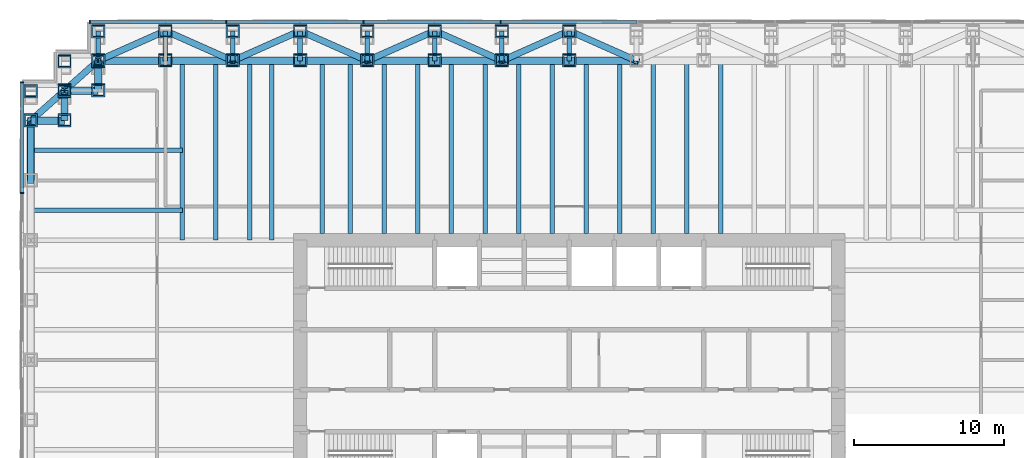
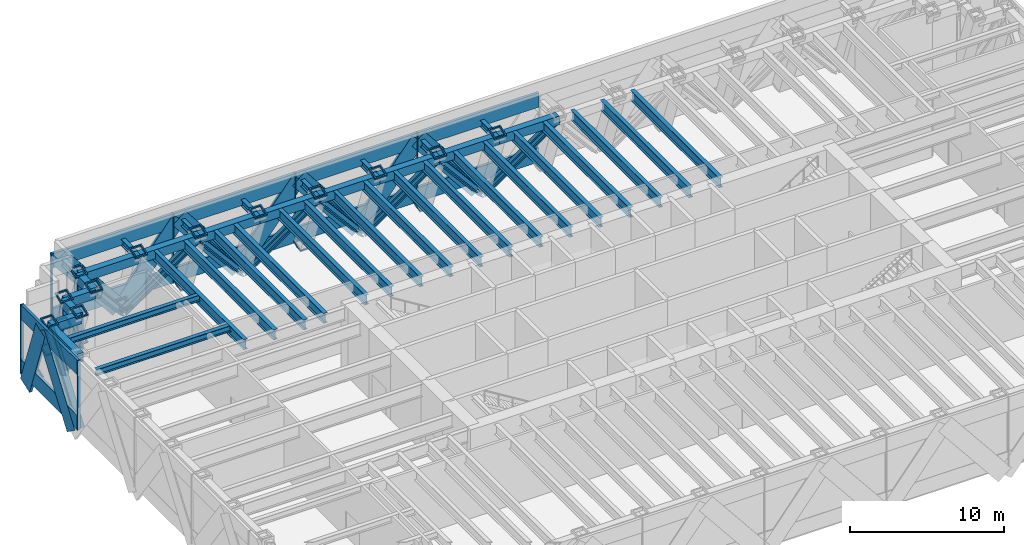
# One storey, part 6 of 16: 62 members, 40 beams, 2 elements without a shape of their own.
"""IFC4 building model written with IfcOpenShell, lengths in metres."""

from ifc_helpers import new_model, si_unit, direction, frame, origin, origin_2d, place, context, subcontext, project, spatial, rectangle, hollow_rectangle, i_section, extrude, material, material_profile, profile_set, type_object, element, aggregate, save


model = new_model("IFC4")

# Units and contexts
model_context = context("Model", 3, precision=1e-05, world=origin(), true_north=direction((0.0, 1.0)))
body_context = subcontext(model_context, "Body", "Model", "MODEL_VIEW")
ifc_project = project(units=[si_unit("LENGTHUNIT", "METRE"), si_unit("AREAUNIT", "SQUARE_METRE"), si_unit("VOLUMEUNIT", "CUBIC_METRE"), si_unit("PLANEANGLEUNIT", "RADIAN"), si_unit("MASSUNIT", "GRAM", prefix="KILO")], contexts=[model_context])

# Site, building, storey
site_placement = place(None, origin())
site = spatial("IfcSite", under=ifc_project, at=site_placement, CompositionType="ELEMENT")
building_placement = place(site_placement, origin())
building = spatial("IfcBuilding", under=site, at=building_placement, Name="Rheinbord Bourse Tower", CompositionType="ELEMENT")
storey_placement = place(building_placement, frame((0.0, 0.0, 180.300048828125)))
storey = spatial("IfcBuildingStorey", under=building, at=storey_placement, Name="L40", CompositionType="ELEMENT", Elevation=180.300048828125)

# Beams
ifc_material_1 = material(Name="Steel S460M", Category="steel")
ifc_material_profile_1 = material_profile(ifc_material_1, hollow_rectangle(XDim=0.5, YDim=0.699951171875, WallThickness=0.0400390625, at=origin_2d()), Name="BOX 700x500x40")
ifc_profile_set_1 = profile_set([ifc_material_profile_1], Name="Steel S460M")
beam_type_1 = type_object("IfcBeamType", Name="BELT CHORD BOX 700x500x40", PredefinedType="SPANDREL", material=ifc_profile_set_1)
for number, where, z_axis, x_axis, name in (
    (1, (40.5, 44.0, 4.989990234375), (-1.0, 0.0, 0.0), (0.0, -1.0, 0.0), "Spandrel N-40.5-N-36 under L41"),
    (2, (36.0, 44.0, 4.989990234375), (-1.0, 0.0, 0.0), (0.0, -1.0, 0.0), "Spandrel N-36-N-31.5 under L41"),
    (3, (31.5, 44.0, 4.989990234375), (-1.0, 0.0, 0.0), (0.0, -1.0, 0.0), "Spandrel N-31.5-N-27 under L41"),
    (4, (27.0, 44.0, 4.989990234375), (-1.0, 0.0, 0.0), (0.0, -1.0, 0.0), "Spandrel N-27-N-22.5 under L41"),
    (5, (22.5, 44.0, 4.989990234375), (-1.0, 0.0, 0.0), (0.0, -1.0, 0.0), "Spandrel N-22.5-N-18 under L41"),
    (6, (18.0, 44.0, 4.989990234375), (-1.0, 0.0, 0.0), (0.0, -1.0, 0.0), "Spandrel N-18-N-13.5 under L41"),
    (7, (13.5, 44.0, 4.989990234375), (-1.0, 0.0, 0.0), (0.0, -1.0, 0.0), "Spandrel N-13.5-N-9 under L41"),
    (8, (9.0, 44.0, 4.989990234375), (-1.0, 0.0, 0.0), (0.0, -1.0, 0.0), "Spandrel N-9-NW-E under L41"),
):
    element("IfcBeam", number, at=place(storey_placement, frame(where, z_axis=z_axis, x_axis=x_axis)), inside=storey, type_object=beam_type_1, Name=name, PredefinedType="SPANDREL", context=body_context, shape_type="SweptSolid", body=[
        extrude(hollow_rectangle(XDim=0.5, YDim=0.699951171875, WallThickness=0.0400390625, at=origin_2d()), origin(), (0.0, 0.0, 1.0), 4.5),
    ])
beam_1_placement = place(storey_placement, frame((4.5, 44.0, 4.989990234375), z_axis=(0.0, -1.0, 0.0), x_axis=(1.0, 0.0, 0.0)))
element("IfcBeam", 9, at=beam_1_placement, inside=storey, type_object=beam_type_1, Name="Spandrel NW-E-NW-D under L41", PredefinedType="SPANDREL", context=body_context, shape_type="SweptSolid", body=[
    extrude(hollow_rectangle(XDim=0.5, YDim=0.699951171875, WallThickness=0.0400390625, at=origin_2d()), origin(), (0.0, 0.0, 1.0), 2.0),
])
beam_2_placement = place(storey_placement, frame((4.5, 42.0, 4.989990234375), z_axis=(-1.0, 0.0, 0.0), x_axis=(0.0, -1.0, 0.0)))
element("IfcBeam", 10, at=beam_2_placement, inside=storey, type_object=beam_type_1, Name="Spandrel NW-D-NW-C under L41", PredefinedType="SPANDREL", context=body_context, shape_type="SweptSolid", body=[
    extrude(hollow_rectangle(XDim=0.5, YDim=0.699951171875, WallThickness=0.0400390625, at=origin_2d()), origin(), (0.0, 0.0, 1.0), 2.25),
])
beam_3_placement = place(storey_placement, frame((2.25, 42.0, 4.989990234375), z_axis=(0.0, -1.0, 0.0), x_axis=(1.0, 0.0, 0.0)))
element("IfcBeam", 11, at=beam_3_placement, inside=storey, type_object=beam_type_1, Name="Spandrel NW-C-NW-B under L41", PredefinedType="SPANDREL", context=body_context, shape_type="SweptSolid", body=[
    extrude(hollow_rectangle(XDim=0.5, YDim=0.699951171875, WallThickness=0.0400390625, at=origin_2d()), origin(), (0.0, 0.0, 1.0), 2.0),
])
beam_4_placement = place(storey_placement, frame((2.25, 40.0, 4.989990234375), z_axis=(-1.0, 0.0, 0.0), x_axis=(0.0, -1.0, 0.0)))
element("IfcBeam", 12, at=beam_4_placement, inside=storey, type_object=beam_type_1, Name="Spandrel NW-B-NW-A under L41", PredefinedType="SPANDREL", context=body_context, shape_type="SweptSolid", body=[
    extrude(hollow_rectangle(XDim=0.5, YDim=0.699951171875, WallThickness=0.0400390625, at=origin_2d()), origin(), (0.0, 0.0, 1.0), 2.25),
])
beam_5_placement = place(storey_placement, frame((0.0, 40.0, 4.989990234375), z_axis=(0.0, -1.0, 0.0), x_axis=(1.0, 0.0, 0.0)))
element("IfcBeam", 13, at=beam_5_placement, inside=storey, type_object=beam_type_1, Name="Spandrel NW-A-W-36 under L41", PredefinedType="SPANDREL", context=body_context, shape_type="SweptSolid", body=[
    extrude(hollow_rectangle(XDim=0.5, YDim=0.699951171875, WallThickness=0.0400390625, at=origin_2d()), origin(), (0.0, 0.0, 1.0), 4.0),
])

# Members
ifc_material_2 = material(Name="Steel S460", Category="steel")
ifc_material_profile_2 = material_profile(ifc_material_2, i_section(OverallWidth=0.431884765625, OverallDepth=0.498046875, WebThickness=0.0556640625, FlangeThickness=0.0888671875, at=origin_2d()), Name="HD 400x744")
ifc_profile_set_2 = profile_set([ifc_material_profile_2], Name="Steel S460")
member_type_1 = type_object("IfcMemberType", Name="BELT DIAGONAL HD 400x744", PredefinedType="STRUT", material=ifc_profile_set_2)
for number, where, z_axis, x_axis, name in (
    (14, (36.0, 46.0, -0.60009765625), (0.604045441932, -0.268464640859, 0.750370468962), (0.406138466053, 0.91381154862, 0.0), "Belt truss diagonal N-40.5-N-36 L40"),
    (15, (36.0, 46.0, -0.60009765625), (-0.604045441932, -0.268464640859, 0.750370468962), (0.406138466053, -0.91381154862, 0.0), "Belt truss diagonal N-36-N-31.5 L40"),
    (16, (27.0, 46.0, -0.60009765625), (0.604045441932, -0.268464640859, 0.750370468962), (0.406138466053, 0.91381154862, 0.0), "Belt truss diagonal N-31.5-N-27 L40"),
    (17, (27.0, 46.0, -0.60009765625), (-0.604045441932, -0.268464640859, 0.750370468962), (0.406138466053, -0.91381154862, 0.0), "Belt truss diagonal N-27-N-22.5 L40"),
    (18, (18.0, 46.0, -0.60009765625), (0.604045441932, -0.268464640859, 0.750370468962), (0.406138466053, 0.91381154862, 0.0), "Belt truss diagonal N-22.5-N-18 L40"),
    (19, (18.0, 46.0, -0.60009765625), (-0.604045441932, -0.268464640859, 0.750370468962), (0.406138466053, -0.91381154862, 0.0), "Belt truss diagonal N-18-N-13.5 L40"),
    (20, (9.0, 46.0, -0.60009765625), (0.604045441932, -0.268464640859, 0.750370468962), (0.406138466053, 0.91381154862, 0.0), "Belt truss diagonal N-13.5-N-9 L40"),
    (21, (9.0, 46.0, -0.60009765625), (-0.604045441932, -0.268464640859, 0.750370468962), (0.406138466053, -0.91381154862, 0.0), "Belt truss diagonal N-9-NW-E L40"),
):
    element("IfcMember", number, at=place(storey_placement, frame(where, z_axis=z_axis, x_axis=x_axis)), inside=storey, type_object=member_type_1, Name=name, PredefinedType="STRUT", context=body_context, shape_type="SweptSolid", body=[
        extrude(i_section(OverallWidth=0.431884765625, OverallDepth=0.498046875, WebThickness=0.0556640625, FlangeThickness=0.0888671875, at=origin_2d()), origin(), (0.0, 0.0, 1.0), 7.44970703125),
    ])
member_1_placement = place(storey_placement, frame((4.5, 44.0, -0.60009765625), z_axis=(0.0, 0.0, 1.0), x_axis=(1.0, 0.0, 0.0)))
element("IfcMember", 22, at=member_1_placement, inside=storey, type_object=member_type_1, Name="Belt truss diagonal NW-E-NW-D L40", PredefinedType="STRUT", context=body_context, shape_type="SweptSolid", body=[
    extrude(i_section(OverallWidth=0.431884765625, OverallDepth=0.498046875, WebThickness=0.0556640625, FlangeThickness=0.0888671875, at=origin_2d()), origin(), (0.0, 0.0, 1.0), 5.590087890625),
])
member_2_placement = place(storey_placement, frame((4.5, 44.0, -0.60009765625), z_axis=(-0.35437868618, -0.315003276604, 0.880448001026), x_axis=(0.66436383883, -0.747409318684, 0.0)))
element("IfcMember", 23, at=member_2_placement, inside=storey, type_object=member_type_1, Name="Belt truss diagonal NW-D-NW-C L40", PredefinedType="STRUT", context=body_context, shape_type="SweptSolid", body=[
    extrude(i_section(OverallWidth=0.431884765625, OverallDepth=0.498046875, WebThickness=0.0556640625, FlangeThickness=0.0888671875, at=origin_2d()), origin(), (0.0, 0.0, 1.0), 6.34912109375),
])
member_3_placement = place(storey_placement, frame((2.25, 42.0, -0.60009765625), z_axis=(0.0, 0.0, 1.0), x_axis=(1.0, 0.0, 0.0)))
element("IfcMember", 24, at=member_3_placement, inside=storey, type_object=member_type_1, Name="Belt truss diagonal NW-C-NW-B L40", PredefinedType="STRUT", context=body_context, shape_type="SweptSolid", body=[
    extrude(i_section(OverallWidth=0.431884765625, OverallDepth=0.498046875, WebThickness=0.0556640625, FlangeThickness=0.0888671875, at=origin_2d()), origin(), (0.0, 0.0, 1.0), 5.590087890625),
])
member_4_placement = place(storey_placement, frame((2.25, 42.0, -0.60009765625), z_axis=(-0.35437868618, -0.315003276604, 0.880448001026), x_axis=(0.66436383883, -0.747409318684, 0.0)))
element("IfcMember", 25, at=member_4_placement, inside=storey, type_object=member_type_1, Name="Belt truss diagonal NW-B-NW-A L40", PredefinedType="STRUT", context=body_context, shape_type="SweptSolid", body=[
    extrude(i_section(OverallWidth=0.431884765625, OverallDepth=0.498046875, WebThickness=0.0556640625, FlangeThickness=0.0888671875, at=origin_2d()), origin(), (0.0, 0.0, 1.0), 6.34912109375),
])
member_5_placement = place(storey_placement, frame((0.0, 36.0, -0.60009765625), z_axis=(0.0, 0.581920023079, 0.813246018582), x_axis=(-1.0, 0.0, 0.0)))
element("IfcMember", 26, at=member_5_placement, inside=storey, type_object=member_type_1, Name="Belt truss diagonal NW-A-W-36 L40", PredefinedType="STRUT", context=body_context, shape_type="SweptSolid", body=[
    extrude(i_section(OverallWidth=0.431884765625, OverallDepth=0.498046875, WebThickness=0.0556640625, FlangeThickness=0.0888671875, at=origin_2d()), origin(), (0.0, 0.0, 1.0), 6.873779296875),
])

# Curtain wall, members
ifc_material_3 = material(Name="Dark glass and black aluminium", Category="aluminium")
curtain_wall_type = type_object("IfcCurtainWallType", Name="CW5 DARK GLASS CURTAIN WALL", PredefinedType="USERDEFINED", material=ifc_material_3)
curtain_wall_1_placement = place(storey_placement, origin())
curtain_wall_1 = element("IfcCurtainWall", 27, at=curtain_wall_1_placement, inside=storey, type_object=curtain_wall_type, Name="Curtain wall CW5 N L40", ObjectType="UNITISED CURTAIN WALL", PredefinedType="USERDEFINED")
ifc_material_4 = material(Name="Black anodised aluminium", Category="aluminium")
ifc_material_profile_3 = material_profile(ifc_material_4, rectangle(XDim=0.199951171875, YDim=1.259033203125, at=origin_2d()), Name="CW5 DIAGONAL MULLION 1259x200")
ifc_profile_set_3 = profile_set([ifc_material_profile_3], Name="Black anodised aluminium")
member_type_2 = type_object("IfcMemberType", Name="CW5 BLACK DIAGONAL MULLION", PredefinedType="USERDEFINED", material=ifc_profile_set_3)
member_6_placement = place(storey_placement, frame((36.0, 46.60009765625, -0.60009765625), z_axis=(-0.627065297878, 0.0, 0.778966695178), x_axis=(0.0, -1.0, 0.0)))
member_6 = element("IfcMember", 28, at=member_6_placement, type_object=member_type_2, Name="CW5 diagonal mullion belt N-36", ObjectType="DIAGONAL MULLION", PredefinedType="USERDEFINED", context=body_context, shape_type="SweptSolid", body=[
    extrude(rectangle(XDim=0.199951171875, YDim=1.259033203125, at=origin_2d()), origin(), (0.0, 0.0, 1.0), 7.17626953125),
])
member_7_placement = place(storey_placement, frame((27.0, 46.60009765625, -0.60009765625), z_axis=(0.627065297878, 0.0, 0.778966695178), x_axis=(0.0, 1.0, 0.0)))
member_7 = element("IfcMember", 29, at=member_7_placement, type_object=member_type_2, Name="CW5 diagonal mullion belt N-31.5", ObjectType="DIAGONAL MULLION", PredefinedType="USERDEFINED", context=body_context, shape_type="SweptSolid", body=[
    extrude(rectangle(XDim=0.199951171875, YDim=1.259033203125, at=origin_2d()), origin(), (0.0, 0.0, 1.0), 7.17626953125),
])
member_8_placement = place(storey_placement, frame((27.0, 46.60009765625, -0.60009765625), z_axis=(-0.627065297878, 0.0, 0.778966695178), x_axis=(0.0, -1.0, 0.0)))
member_8 = element("IfcMember", 30, at=member_8_placement, type_object=member_type_2, Name="CW5 diagonal mullion belt N-27", ObjectType="DIAGONAL MULLION", PredefinedType="USERDEFINED", context=body_context, shape_type="SweptSolid", body=[
    extrude(rectangle(XDim=0.199951171875, YDim=1.259033203125, at=origin_2d()), origin(), (0.0, 0.0, 1.0), 7.17626953125),
])
member_9_placement = place(storey_placement, frame((18.0, 46.60009765625, -0.60009765625), z_axis=(0.627065297878, 0.0, 0.778966695178), x_axis=(0.0, 1.0, 0.0)))
member_9 = element("IfcMember", 31, at=member_9_placement, type_object=member_type_2, Name="CW5 diagonal mullion belt N-22.5", ObjectType="DIAGONAL MULLION", PredefinedType="USERDEFINED", context=body_context, shape_type="SweptSolid", body=[
    extrude(rectangle(XDim=0.199951171875, YDim=1.259033203125, at=origin_2d()), origin(), (0.0, 0.0, 1.0), 7.17626953125),
])
member_10_placement = place(storey_placement, frame((18.0, 46.60009765625, -0.60009765625), z_axis=(-0.627065297878, 0.0, 0.778966695178), x_axis=(0.0, -1.0, 0.0)))
member_10 = element("IfcMember", 32, at=member_10_placement, type_object=member_type_2, Name="CW5 diagonal mullion belt N-18", ObjectType="DIAGONAL MULLION", PredefinedType="USERDEFINED", context=body_context, shape_type="SweptSolid", body=[
    extrude(rectangle(XDim=0.199951171875, YDim=1.259033203125, at=origin_2d()), origin(), (0.0, 0.0, 1.0), 7.17626953125),
])
member_11_placement = place(storey_placement, frame((9.0, 46.60009765625, -0.60009765625), z_axis=(0.627065297878, 0.0, 0.778966695178), x_axis=(0.0, 1.0, 0.0)))
member_11 = element("IfcMember", 33, at=member_11_placement, type_object=member_type_2, Name="CW5 diagonal mullion belt N-13.5", ObjectType="DIAGONAL MULLION", PredefinedType="USERDEFINED", context=body_context, shape_type="SweptSolid", body=[
    extrude(rectangle(XDim=0.199951171875, YDim=1.259033203125, at=origin_2d()), origin(), (0.0, 0.0, 1.0), 7.17626953125),
])
member_12_placement = place(storey_placement, frame((9.0, 46.60009765625, -0.60009765625), z_axis=(-0.627065297878, 0.0, 0.778966695178), x_axis=(0.0, -1.0, 0.0)))
member_12 = element("IfcMember", 34, at=member_12_placement, type_object=member_type_2, Name="CW5 diagonal mullion belt N-9", ObjectType="DIAGONAL MULLION", PredefinedType="USERDEFINED", context=body_context, shape_type="SweptSolid", body=[
    extrude(rectangle(XDim=0.199951171875, YDim=1.259033203125, at=origin_2d()), origin(), (0.0, 0.0, 1.0), 7.17626953125),
])

curtain_wall_2_placement = place(storey_placement, origin())
curtain_wall_2 = element("IfcCurtainWall", 35, at=curtain_wall_2_placement, inside=storey, type_object=curtain_wall_type, Name="Curtain wall CW5 W L40", ObjectType="UNITISED CURTAIN WALL", PredefinedType="USERDEFINED")
member_13_placement = place(storey_placement, frame((-0.60009765625, 42.0, -0.60009765625), z_axis=(0.0, -0.336865151883, 0.941552903159), x_axis=(1.0, 0.0, 0.0)))
member_13 = element("IfcMember", 36, at=member_13_placement, type_object=member_type_2, Name="CW5 diagonal mullion belt NW-B", ObjectType="DIAGONAL MULLION", PredefinedType="USERDEFINED", context=body_context, shape_type="SweptSolid", body=[
    extrude(rectangle(XDim=0.199951171875, YDim=1.259033203125, at=origin_2d()), origin(), (0.0, 0.0, 1.0), 5.93701171875),
])
member_14_placement = place(storey_placement, frame((-0.60009765625, 36.0, -0.60009765625), z_axis=(0.0, 0.581920023079, 0.813246018582), x_axis=(-1.0, 0.0, 0.0)))
member_14 = element("IfcMember", 37, at=member_14_placement, type_object=member_type_2, Name="CW5 diagonal mullion belt NW-A", ObjectType="DIAGONAL MULLION", PredefinedType="USERDEFINED", context=body_context, shape_type="SweptSolid", body=[
    extrude(rectangle(XDim=0.199951171875, YDim=1.259033203125, at=origin_2d()), origin(), (0.0, 0.0, 1.0), 6.873779296875),
])

# Member
ifc_material_5 = material(Name="Black anodised aluminium", Category="aluminium")
ifc_material_profile_4 = material_profile(ifc_material_5, rectangle(XDim=0.25, YDim=0.080078125, at=origin_2d()), Name="CW5 MULLION 80x250")
ifc_profile_set_4 = profile_set([ifc_material_profile_4], Name="Black anodised aluminium")
member_type_3 = type_object("IfcMemberType", Name="CW5 BLACK MULLION", PredefinedType="MULLION", material=ifc_profile_set_4)
member_15_placement = place(storey_placement, frame((31.414306640625, 46.60009765625, 0.0), z_axis=(0.0, 0.0, 1.0), x_axis=(0.0, -1.0, 0.0)))
member_15 = element("IfcMember", 38, at=member_15_placement, type_object=member_type_3, Name="CW5 mullion 5", PredefinedType="MULLION", context=body_context, shape_type="SweptSolid", body=[
    extrude(rectangle(XDim=0.25, YDim=0.080078125, at=origin_2d()), origin(), (0.0, 0.0, 1.0), 5.5),
])

member_16_placement = place(storey_placement, frame((22.242919921875, 46.60009765625, 0.0), z_axis=(0.0, 0.0, 1.0), x_axis=(0.0, -1.0, 0.0)))
member_16 = element("IfcMember", 39, at=member_16_placement, type_object=member_type_3, Name="CW5 mullion 6", PredefinedType="MULLION", context=body_context, shape_type="SweptSolid", body=[
    extrude(rectangle(XDim=0.25, YDim=0.080078125, at=origin_2d()), origin(), (0.0, 0.0, 1.0), 5.5),
])

member_17_placement = place(storey_placement, frame((13.071533203125, 46.60009765625, 0.0), z_axis=(0.0, 0.0, 1.0), x_axis=(0.0, -1.0, 0.0)))
member_17 = element("IfcMember", 40, at=member_17_placement, type_object=member_type_3, Name="CW5 mullion 7", PredefinedType="MULLION", context=body_context, shape_type="SweptSolid", body=[
    extrude(rectangle(XDim=0.25, YDim=0.080078125, at=origin_2d()), origin(), (0.0, 0.0, 1.0), 5.5),
])

member_18_placement = place(storey_placement, frame((3.93994140625, 46.60009765625, 0.0), z_axis=(0.0, 0.0, 1.0), x_axis=(0.0, -1.0, 0.0)))
member_18 = element("IfcMember", 41, at=member_18_placement, type_object=member_type_3, Name="CW5 mullion 8", PredefinedType="MULLION", context=body_context, shape_type="SweptSolid", body=[
    extrude(rectangle(XDim=0.25, YDim=0.080078125, at=origin_2d()), origin(), (0.0, 0.0, 1.0), 5.5),
])

member_19_placement = place(storey_placement, frame((-0.60009765625, 42.56005859375, 0.0), z_axis=(0.0, 0.0, 1.0), x_axis=(1.0, 0.0, 0.0)))
member_19 = element("IfcMember", 42, at=member_19_placement, type_object=member_type_3, Name="CW5 mullion 1", PredefinedType="MULLION", context=body_context, shape_type="SweptSolid", body=[
    extrude(rectangle(XDim=0.25, YDim=0.080078125, at=origin_2d()), origin(), (0.0, 0.0, 1.0), 5.5),
])

member_20_placement = place(storey_placement, frame((-0.60009765625, 35.159912109375, 0.0), z_axis=(0.0, 0.0, 1.0), x_axis=(1.0, 0.0, 0.0)))
member_20 = element("IfcMember", 43, at=member_20_placement, type_object=member_type_3, Name="CW5 mullion 2", PredefinedType="MULLION", context=body_context, shape_type="SweptSolid", body=[
    extrude(rectangle(XDim=0.25, YDim=0.080078125, at=origin_2d()), origin(), (0.0, 0.0, 1.0), 5.5),
])

ifc_material_6 = material(Name="Black anodised aluminium", Category="aluminium")
ifc_material_profile_5 = material_profile(ifc_material_6, rectangle(XDim=0.199951171875, YDim=1.14990234375, at=origin_2d()), Name="CW5 TRANSOM 1150x200")
ifc_profile_set_5 = profile_set([ifc_material_profile_5], Name="Black anodised aluminium")
member_type_4 = type_object("IfcMemberType", Name="CW5 BLACK TRANSOM", PredefinedType="USERDEFINED", material=ifc_profile_set_5)
member_21_placement = place(storey_placement, frame((40.545654296875, 46.60009765625, 0.574951171875), z_axis=(-1.0, 0.0, 0.0), x_axis=(0.0, -1.0, 0.0)))
member_21 = element("IfcMember", 44, at=member_21_placement, type_object=member_type_4, Name="CW5 transom 4.1", ObjectType="TRANSOM", PredefinedType="USERDEFINED", context=body_context, shape_type="SweptSolid", body=[
    extrude(rectangle(XDim=0.199951171875, YDim=1.14990234375, at=origin_2d()), origin(), (0.0, 0.0, 1.0), 9.09130859375),
])

member_22_placement = place(storey_placement, frame((40.545654296875, 46.60009765625, 4.925048828125), z_axis=(-1.0, 0.0, 0.0), x_axis=(0.0, -1.0, 0.0)))
member_22 = element("IfcMember", 45, at=member_22_placement, type_object=member_type_4, Name="CW5 transom 4.2", ObjectType="TRANSOM", PredefinedType="USERDEFINED", context=body_context, shape_type="SweptSolid", body=[
    extrude(rectangle(XDim=0.199951171875, YDim=1.14990234375, at=origin_2d()), origin(), (0.0, 0.0, 1.0), 9.09130859375),
])

member_23_placement = place(storey_placement, frame((31.374267578125, 46.60009765625, 0.574951171875), z_axis=(-1.0, 0.0, 0.0), x_axis=(0.0, -1.0, 0.0)))
member_23 = element("IfcMember", 46, at=member_23_placement, type_object=member_type_4, Name="CW5 transom 5.1", ObjectType="TRANSOM", PredefinedType="USERDEFINED", context=body_context, shape_type="SweptSolid", body=[
    extrude(rectangle(XDim=0.199951171875, YDim=1.14990234375, at=origin_2d()), origin(), (0.0, 0.0, 1.0), 9.09130859375),
])

member_24_placement = place(storey_placement, frame((31.374267578125, 46.60009765625, 4.925048828125), z_axis=(-1.0, 0.0, 0.0), x_axis=(0.0, -1.0, 0.0)))
member_24 = element("IfcMember", 47, at=member_24_placement, type_object=member_type_4, Name="CW5 transom 5.2", ObjectType="TRANSOM", PredefinedType="USERDEFINED", context=body_context, shape_type="SweptSolid", body=[
    extrude(rectangle(XDim=0.199951171875, YDim=1.14990234375, at=origin_2d()), origin(), (0.0, 0.0, 1.0), 9.09130859375),
])

member_25_placement = place(storey_placement, frame((22.202880859375, 46.60009765625, 0.574951171875), z_axis=(-1.0, 0.0, 0.0), x_axis=(0.0, -1.0, 0.0)))
member_25 = element("IfcMember", 48, at=member_25_placement, type_object=member_type_4, Name="CW5 transom 6.1", ObjectType="TRANSOM", PredefinedType="USERDEFINED", context=body_context, shape_type="SweptSolid", body=[
    extrude(rectangle(XDim=0.199951171875, YDim=1.14990234375, at=origin_2d()), origin(), (0.0, 0.0, 1.0), 9.091552734375),
])

member_26_placement = place(storey_placement, frame((22.202880859375, 46.60009765625, 4.925048828125), z_axis=(-1.0, 0.0, 0.0), x_axis=(0.0, -1.0, 0.0)))
member_26 = element("IfcMember", 49, at=member_26_placement, type_object=member_type_4, Name="CW5 transom 6.2", ObjectType="TRANSOM", PredefinedType="USERDEFINED", context=body_context, shape_type="SweptSolid", body=[
    extrude(rectangle(XDim=0.199951171875, YDim=1.14990234375, at=origin_2d()), origin(), (0.0, 0.0, 1.0), 9.091552734375),
])

member_27_placement = place(storey_placement, frame((13.031494140625, 46.60009765625, 0.574951171875), z_axis=(-1.0, 0.0, 0.0), x_axis=(0.0, -1.0, 0.0)))
member_27 = element("IfcMember", 50, at=member_27_placement, type_object=member_type_4, Name="CW5 transom 7.1", ObjectType="TRANSOM", PredefinedType="USERDEFINED", context=body_context, shape_type="SweptSolid", body=[
    extrude(rectangle(XDim=0.199951171875, YDim=1.14990234375, at=origin_2d()), origin(), (0.0, 0.0, 1.0), 9.051513671875),
])

member_28_placement = place(storey_placement, frame((13.031494140625, 46.60009765625, 4.925048828125), z_axis=(-1.0, 0.0, 0.0), x_axis=(0.0, -1.0, 0.0)))
member_28 = element("IfcMember", 51, at=member_28_placement, type_object=member_type_4, Name="CW5 transom 7.2", ObjectType="TRANSOM", PredefinedType="USERDEFINED", context=body_context, shape_type="SweptSolid", body=[
    extrude(rectangle(XDim=0.199951171875, YDim=1.14990234375, at=origin_2d()), origin(), (0.0, 0.0, 1.0), 9.051513671875),
])

aggregate(curtain_wall_1, [member_15, member_16, member_17, member_18, member_21, member_22, member_23, member_24, member_25, member_26, member_27, member_28, member_6, member_7, member_8, member_9, member_10, member_11, member_12])

member_29_placement = place(storey_placement, frame((-0.60009765625, 42.52001953125, 0.574951171875), z_axis=(0.0, -1.0, 0.0), x_axis=(1.0, 0.0, 0.0)))
member_29 = element("IfcMember", 52, at=member_29_placement, type_object=member_type_4, Name="CW5 transom 1.1", ObjectType="TRANSOM", PredefinedType="USERDEFINED", context=body_context, shape_type="SweptSolid", body=[
    extrude(rectangle(XDim=0.199951171875, YDim=1.14990234375, at=origin_2d()), origin(), (0.0, 0.0, 1.0), 7.320068359375),
])

member_30_placement = place(storey_placement, frame((-0.60009765625, 42.52001953125, 4.925048828125), z_axis=(0.0, -1.0, 0.0), x_axis=(1.0, 0.0, 0.0)))
member_30 = element("IfcMember", 53, at=member_30_placement, type_object=member_type_4, Name="CW5 transom 1.2", ObjectType="TRANSOM", PredefinedType="USERDEFINED", context=body_context, shape_type="SweptSolid", body=[
    extrude(rectangle(XDim=0.199951171875, YDim=1.14990234375, at=origin_2d()), origin(), (0.0, 0.0, 1.0), 7.320068359375),
])

aggregate(curtain_wall_2, [member_19, member_20, member_29, member_30, member_13, member_14])

# Beams
ifc_material_7 = material(Name="Steel S460", Category="steel")
ifc_material_profile_6 = material_profile(ifc_material_7, i_section(OverallWidth=0.300048828125, OverallDepth=0.800048828125, WebThickness=0.017578125, FlangeThickness=0.032958984375, at=origin_2d()), Name="HEB 800")
ifc_profile_set_6 = profile_set([ifc_material_profile_6], Name="Steel S460")
beam_type_2 = type_object("IfcBeamType", Name="FLOOR BEAM HEB 800", PredefinedType="BEAM", material=ifc_profile_set_6)
for number, where, z_axis, x_axis, name in (
    (54, (10.125, 44.0, 4.93994140625), (0.0, -1.0, 0.0), (1.0, 0.0, 0.0), "Floor beam N-9a L41"),
    (55, (12.375, 44.0, 4.93994140625), (0.0, -1.0, 0.0), (1.0, 0.0, 0.0), "Floor beam N-9b L41"),
    (56, (14.625, 44.0, 4.93994140625), (0.0, -1.0, 0.0), (1.0, 0.0, 0.0), "Floor beam N-13.5a L41"),
    (57, (16.125, 44.0, 4.93994140625), (0.0, -1.0, 0.0), (1.0, 0.0, 0.0), "Floor beam N-13.5b L41"),
):
    element("IfcBeam", number, at=place(storey_placement, frame(where, z_axis=z_axis, x_axis=x_axis)), inside=storey, type_object=beam_type_2, Name=name, PredefinedType="BEAM", context=body_context, shape_type="SweptSolid", body=[
        extrude(i_section(OverallWidth=0.300048828125, OverallDepth=0.800048828125, WebThickness=0.017578125, FlangeThickness=0.032958984375, at=origin_2d()), origin(), (0.0, 0.0, 1.0), 12.0),
    ])
for number, where, z_axis, x_axis, name in (
    (58, (19.5, 44.0, 4.93994140625), (0.0, -1.0, 0.0), (1.0, 0.0, 0.0), "Floor beam N-18a L41"),
    (59, (21.375, 44.0, 4.93994140625), (0.0, -1.0, 0.0), (1.0, 0.0, 0.0), "Floor beam N-18b L41"),
    (60, (23.625, 44.0, 4.93994140625), (0.0, -1.0, 0.0), (1.0, 0.0, 0.0), "Floor beam N-22.5a L41"),
    (61, (25.875, 44.0, 4.93994140625), (0.0, -1.0, 0.0), (1.0, 0.0, 0.0), "Floor beam N-22.5b L41"),
    (62, (28.125, 44.0, 4.93994140625), (0.0, -1.0, 0.0), (1.0, 0.0, 0.0), "Floor beam N-27a L41"),
    (63, (30.375, 44.0, 4.93994140625), (0.0, -1.0, 0.0), (1.0, 0.0, 0.0), "Floor beam N-27b L41"),
    (64, (32.625, 44.0, 4.93994140625), (0.0, -1.0, 0.0), (1.0, 0.0, 0.0), "Floor beam N-31.5a L41"),
    (65, (34.875, 44.0, 4.93994140625), (0.0, -1.0, 0.0), (1.0, 0.0, 0.0), "Floor beam N-31.5b L41"),
    (66, (37.125, 44.0, 4.93994140625), (0.0, -1.0, 0.0), (1.0, 0.0, 0.0), "Floor beam N-36a L41"),
    (67, (39.375, 44.0, 4.93994140625), (0.0, -1.0, 0.0), (1.0, 0.0, 0.0), "Floor beam N-36b L41"),
    (68, (41.625, 44.0, 4.93994140625), (0.0, -1.0, 0.0), (1.0, 0.0, 0.0), "Floor beam N-40.5a L41"),
    (69, (43.875, 44.0, 4.93994140625), (0.0, -1.0, 0.0), (1.0, 0.0, 0.0), "Floor beam N-40.5b L41"),
    (70, (46.125, 44.0, 4.93994140625), (0.0, -1.0, 0.0), (1.0, 0.0, 0.0), "Floor beam N-45a L41"),
):
    element("IfcBeam", number, at=place(storey_placement, frame(where, z_axis=z_axis, x_axis=x_axis)), inside=storey, type_object=beam_type_2, Name=name, PredefinedType="BEAM", context=body_context, shape_type="SweptSolid", body=[
        extrude(i_section(OverallWidth=0.300048828125, OverallDepth=0.800048828125, WebThickness=0.017578125, FlangeThickness=0.032958984375, at=origin_2d()), origin(), (0.0, 0.0, 1.0), 11.550048828125),
    ])

# Members
ifc_material_8 = material(Name="Steel S460M", Category="steel")
ifc_material_profile_7 = material_profile(ifc_material_8, hollow_rectangle(XDim=0.89990234375, YDim=0.89990234375, WallThickness=0.090087890625, at=origin_2d()), Name="BOX 900x900x90")
ifc_profile_set_7 = profile_set([ifc_material_profile_7], Name="Steel S460M")
member_type_5 = type_object("IfcMemberType", Name="RAKING NODE PIECE BOX 900x900x90", PredefinedType="USERDEFINED", material=ifc_profile_set_7)
for number, where, z_axis, x_axis, name in (
    (71, (36.0, 46.0, 0.0), (0.0, -0.341861886176, 0.939750206587), (0.0, 0.939750206587, 0.341861886176), "Node piece N-36 L40 foot"),
    (72, (36.0, 44.056396484375, 5.344970703125), (0.0, -0.341861886176, 0.939750206587), (0.0, 0.939750206587, 0.341861886176), "Node piece N-36 L40 head"),
    (73, (31.5, 46.0, 0.0), (0.0, -0.341861886176, 0.939750206587), (0.0, 0.939750206587, 0.341861886176), "Node piece N-31.5 L40 foot"),
    (74, (31.5, 44.056396484375, 5.344970703125), (0.0, -0.341861886176, 0.939750206587), (0.0, 0.939750206587, 0.341861886176), "Node piece N-31.5 L40 head"),
    (75, (27.0, 46.0, 0.0), (0.0, -0.341861886176, 0.939750206587), (0.0, 0.939750206587, 0.341861886176), "Node piece N-27 L40 foot"),
    (76, (27.0, 44.056396484375, 5.344970703125), (0.0, -0.341861886176, 0.939750206587), (0.0, 0.939750206587, 0.341861886176), "Node piece N-27 L40 head"),
    (77, (22.5, 46.0, 0.0), (0.0, -0.341861886176, 0.939750206587), (0.0, 0.939750206587, 0.341861886176), "Node piece N-22.5 L40 foot"),
    (78, (22.5, 44.056396484375, 5.344970703125), (0.0, -0.341861886176, 0.939750206587), (0.0, 0.939750206587, 0.341861886176), "Node piece N-22.5 L40 head"),
    (79, (18.0, 46.0, 0.0), (0.0, -0.341861886176, 0.939750206587), (0.0, 0.939750206587, 0.341861886176), "Node piece N-18 L40 foot"),
    (80, (18.0, 44.056396484375, 5.344970703125), (0.0, -0.341861886176, 0.939750206587), (0.0, 0.939750206587, 0.341861886176), "Node piece N-18 L40 head"),
    (81, (13.5, 46.0, 0.0), (0.0, -0.341861886176, 0.939750206587), (0.0, 0.939750206587, 0.341861886176), "Node piece N-13.5 L40 foot"),
    (82, (13.5, 44.056396484375, 5.344970703125), (0.0, -0.341861886176, 0.939750206587), (0.0, 0.939750206587, 0.341861886176), "Node piece N-13.5 L40 head"),
    (83, (9.0, 46.0, 0.0), (0.0, -0.341861886176, 0.939750206587), (0.0, 0.939750206587, 0.341861886176), "Node piece N-9 L40 foot"),
    (84, (9.0, 44.056396484375, 5.344970703125), (0.0, -0.341861886176, 0.939750206587), (0.0, 0.939750206587, 0.341861886176), "Node piece N-9 L40 head"),
    (85, (4.5, 46.0, 0.0), (0.0, -0.341861886176, 0.939750206587), (0.0, 0.939750206587, 0.341861886176), "Node piece NW-E L40 foot"),
    (86, (4.5, 44.056396484375, 5.344970703125), (0.0, -0.341861886176, 0.939750206587), (0.0, 0.939750206587, 0.341861886176), "Node piece NW-E L40 head"),
    (87, (4.5, 44.0, 0.0), (0.0, -0.341861886176, 0.939750206587), (0.0, 0.939750206587, 0.341861886176), "Node piece NW-D L40 foot"),
    (88, (4.5, 42.056396484375, 5.344970703125), (0.0, -0.341861886176, 0.939750206587), (0.0, 0.939750206587, 0.341861886176), "Node piece NW-D L40 head"),
    (89, (2.25, 44.0, 0.0), (0.0, -0.341861886176, 0.939750206587), (1.0, 0.0, 0.0), "Node piece NW-C L40 foot"),
    (90, (2.25, 42.056396484375, 5.344970703125), (0.0, -0.341861886176, 0.939750206587), (1.0, 0.0, 0.0), "Node piece NW-C L40 head"),
    (91, (2.25, 42.0, 0.0), (0.0, -0.341861886176, 0.939750206587), (1.0, 0.0, 0.0), "Node piece NW-B L40 foot"),
    (92, (2.25, 40.056396484375, 5.344970703125), (0.0, -0.341861886176, 0.939750206587), (1.0, 0.0, 0.0), "Node piece NW-B L40 head"),
    (93, (0.0, 42.0, 0.0), (0.0, -0.341861886176, 0.939750206587), (1.0, 0.0, 0.0), "Node piece NW-A L40 foot"),
    (94, (0.0, 40.056396484375, 5.344970703125), (0.0, -0.341861886176, 0.939750206587), (1.0, 0.0, 0.0), "Node piece NW-A L40 head"),
):
    element("IfcMember", number, at=place(storey_placement, frame(where, z_axis=z_axis, x_axis=x_axis)), inside=storey, type_object=member_type_5, Name=name, ObjectType="NODE PIECE", PredefinedType="USERDEFINED", context=body_context, shape_type="SweptSolid", body=[
        extrude(hollow_rectangle(XDim=0.89990234375, YDim=0.89990234375, WallThickness=0.090087890625, at=origin_2d()), origin(), (0.0, 0.0, 1.0), 0.1650390625),
    ])

# Beams
ifc_material_9 = material(Name="Steel S460", Category="steel")
ifc_material_profile_8 = material_profile(ifc_material_9, i_section(OverallWidth=0.305908203125, OverallDepth=0.52392578125, WebThickness=0.02099609375, FlangeThickness=0.0400390625, at=origin_2d()), Name="HEM 500")
ifc_profile_set_8 = profile_set([ifc_material_profile_8], Name="Steel S460")
beam_type_3 = type_object("IfcBeamType", Name="SETBACK OUTLOOKER HEM 500", PredefinedType="BEAM", material=ifc_profile_set_8)
for number, where, z_axis, x_axis, name in (
    (95, (36.0, 44.0, 4.988037109375), (0.0, 1.0, 0.0), (-1.0, 0.0, 0.0), "Setback outlooker N-36 L41"),
    (96, (31.5, 44.0, 4.988037109375), (0.0, 1.0, 0.0), (-1.0, 0.0, 0.0), "Setback outlooker N-31.5 L41"),
    (97, (27.0, 44.0, 4.988037109375), (0.0, 1.0, 0.0), (-1.0, 0.0, 0.0), "Setback outlooker N-27 L41"),
    (98, (22.5, 44.0, 4.988037109375), (0.0, 1.0, 0.0), (-1.0, 0.0, 0.0), "Setback outlooker N-22.5 L41"),
    (99, (18.0, 44.0, 4.988037109375), (0.0, 1.0, 0.0), (-1.0, 0.0, 0.0), "Setback outlooker N-18 L41"),
    (100, (13.5, 44.0, 4.988037109375), (0.0, 1.0, 0.0), (-1.0, 0.0, 0.0), "Setback outlooker N-13.5 L41"),
    (101, (9.0, 44.0, 4.988037109375), (0.0, 1.0, 0.0), (-1.0, 0.0, 0.0), "Setback outlooker N-9 L41"),
    (102, (4.5, 44.0, 4.988037109375), (0.0, 1.0, 0.0), (-1.0, 0.0, 0.0), "Setback outlooker NW-E L41"),
):
    element("IfcBeam", number, at=place(storey_placement, frame(where, z_axis=z_axis, x_axis=x_axis)), inside=storey, type_object=beam_type_3, Name=name, PredefinedType="BEAM", context=body_context, shape_type="SweptSolid", body=[
        extrude(i_section(OverallWidth=0.305908203125, OverallDepth=0.52392578125, WebThickness=0.02099609375, FlangeThickness=0.0400390625, at=origin_2d()), origin(), (0.0, 0.0, 1.0), 2.0),
    ])
ifc_material_10 = material(Name="Steel S460", Category="steel")
ifc_material_profile_9 = material_profile(ifc_material_10, i_section(OverallWidth=0.300048828125, OverallDepth=0.5, WebThickness=0.014404296875, FlangeThickness=0.028076171875, at=origin_2d()), Name="HEB 500")
ifc_profile_set_9 = profile_set([ifc_material_profile_9], Name="Steel S460")
beam_type_4 = type_object("IfcBeamType", Name="TIE BEAM HEB 500", PredefinedType="JOIST", material=ifc_profile_set_9)
for number, where, z_axis, x_axis, name in (
    (103, (0.0, 34.0, 5.08984375), (1.0, 0.0, 0.0), (0.0, 1.0, 0.0), "Tie west 34 L41"),
    (104, (0.0, 38.0, 5.08984375), (1.0, 0.0, 0.0), (0.0, 1.0, 0.0), "Tie west 38 L41"),
):
    element("IfcBeam", number, at=place(storey_placement, frame(where, z_axis=z_axis, x_axis=x_axis)), inside=storey, type_object=beam_type_4, Name=name, PredefinedType="JOIST", context=body_context, shape_type="SweptSolid", body=[
        extrude(i_section(OverallWidth=0.300048828125, OverallDepth=0.5, WebThickness=0.014404296875, FlangeThickness=0.028076171875, at=origin_2d()), origin(), (0.0, 0.0, 1.0), 10.125),
    ])

save(model, "model.ifc")
